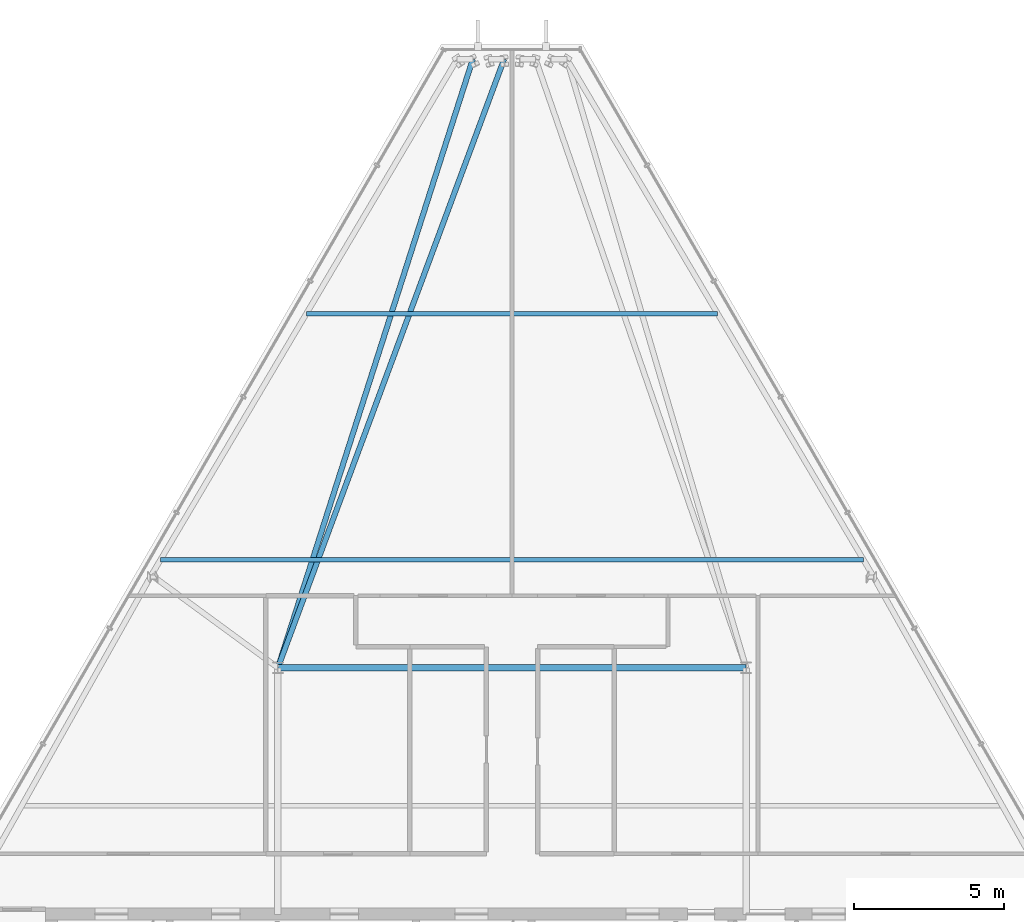
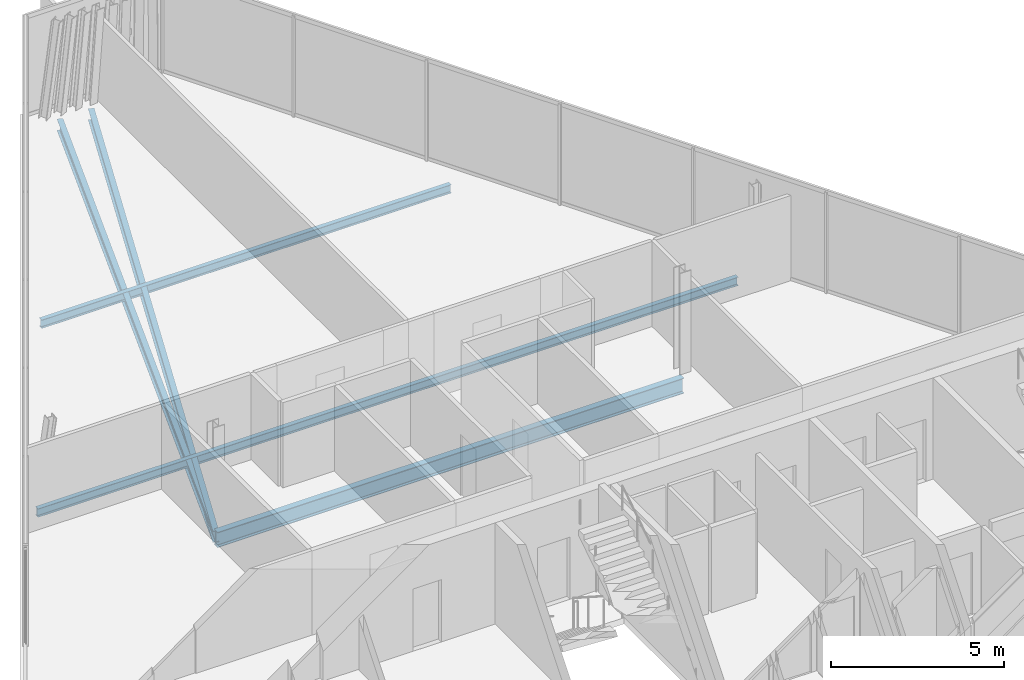
# One storey, part 16 of 32: 5 beams.
"""IFC4 building model written with IfcOpenShell, lengths in metres."""

import ifcopenshell
import ifcopenshell.guid

model = None  # the IFC model being written
_history = None  # IfcOwnerHistory: only IFC2X3 demands one
_inside = {}  # id of a spatial element -> (the spatial element, [elements in it])
_under = {}  # id of a project, library or spatial element -> (it, [spatial elements below it])
_declared = {}  # id of a project -> (the project, [libraries it declares])
_typed = {}  # id of a type object -> (the type object, [elements of that type])
_made_of = {}  # id of a material, layer set ... -> (it, [elements and type objects made of it])


def new_model(schema):
    """Start an empty IFC model of exactly this schema.

    Asked for "IFC4X3", IfcOpenShell would pick the latest addendum, in which some entities
    have other attributes; the version numbers below select the first issue.
    IFC2X3 requires an IfcOwnerHistory on every rooted entity: one is made here for all.
    """
    global model, _history
    if schema == "IFC4X3":
        model = ifcopenshell.file(schema_version=(4, 3, 0, 0))
    else:
        model = ifcopenshell.file(schema=schema)
    _inside.clear()
    _under.clear()
    _declared.clear()
    _typed.clear()
    _made_of.clear()
    _history = None
    if model.schema == "IFC2X3":
        org = make("IfcOrganization", Name="unknown")
        user = make(
            "IfcPersonAndOrganization",
            ThePerson=make("IfcPerson", FamilyName="unknown"),
            TheOrganization=org,
        )
        app = make(
            "IfcApplication",
            ApplicationDeveloper=org,
            Version="unknown",
            ApplicationFullName="unknown",
            ApplicationIdentifier="unknown",
        )
        _history = make(
            "IfcOwnerHistory",
            OwningUser=user,
            OwningApplication=app,
            ChangeAction="ADDED",
            CreationDate=0,
        )
    return model


def make(cls, **values):
    """One entity of the class cls with the attributes given. An attribute that is None is left unset."""
    return model.create_entity(
        cls, **{name: value for name, value in values.items() if value is not None}
    )


def rooted(cls, **values):
    """An entity with a GlobalId (a new one), such as an element, a storey or a relation."""
    return make(cls, GlobalId=ifcopenshell.guid.new(), OwnerHistory=_history, **values)


def si_unit(unit_type, name, prefix=None):
    """IfcSIUnit, for example si_unit("LENGTHUNIT", "METRE", prefix="MILLI")."""
    return make("IfcSIUnit", UnitType=unit_type, Prefix=prefix, Name=name)


def assignment(units):
    """IfcUnitAssignment: the units of a project."""
    return None if units is None else make("IfcUnitAssignment", Units=units)


def point(xyz):
    """IfcCartesianPoint."""
    return None if xyz is None else make("IfcCartesianPoint", Coordinates=xyz)


def direction(xyz):
    """IfcDirection."""
    return None if xyz is None else make("IfcDirection", DirectionRatios=xyz)


def frame(location, z_axis=None, x_axis=None):
    """IfcAxis2Placement3D, a coordinate frame: its origin and axes. An axis left out is left unset."""
    return make(
        "IfcAxis2Placement3D",
        Location=point(location),
        Axis=direction(z_axis),
        RefDirection=direction(x_axis),
    )


def frame_2d(location, x_axis=None):
    """IfcAxis2Placement2D, a coordinate frame in the plane: its origin and x axis."""
    return make(
        "IfcAxis2Placement2D", Location=point(location), RefDirection=direction(x_axis)
    )


def origin():
    """The frame at (0, 0, 0) with its axes left unset."""
    return frame((0.0, 0.0, 0.0))


def origin_2d():
    """The frame at (0, 0) in the plane with its x axis left unset."""
    return frame_2d((0.0, 0.0))


def place(relative_to, where):
    """IfcLocalPlacement: puts the frame where relative to a parent placement (None: the world)."""
    return make(
        "IfcLocalPlacement", PlacementRelTo=relative_to, RelativePlacement=where
    )


def context(
    kind, dimensions, precision=None, world=None, true_north=None, identifier=None
):
    """IfcGeometricRepresentationContext, for example the 3D "Model" context."""
    return make(
        "IfcGeometricRepresentationContext",
        ContextIdentifier=identifier,
        ContextType=kind,
        CoordinateSpaceDimension=dimensions,
        Precision=precision,
        WorldCoordinateSystem=world,
        TrueNorth=true_north,
    )


def subcontext(parent, identifier, kind, view, scale=None):
    """IfcGeometricRepresentationSubContext, for example "Body" below "Model"."""
    return make(
        "IfcGeometricRepresentationSubContext",
        ContextIdentifier=identifier,
        ContextType=kind,
        ParentContext=parent,
        TargetScale=scale,
        TargetView=view,
    )


def project(units=None, contexts=None):
    """IfcProject with its units and contexts."""
    return rooted(
        "IfcProject",
        Name="project",
        RepresentationContexts=contexts,
        UnitsInContext=assignment(units),
    )


def spatial(cls, under=None, at=None, **own):
    """A site, building, storey or space (cls), placed at a placement, below another one or the project."""
    s = rooted(cls, ObjectPlacement=at, **own)
    if under is not None:
        _under.setdefault(under.id(), (under, []))[1].append(s)
    return s


def profile(cls, at=None, kind="AREA", **sizes):
    """A parametric profile (cls). Its sizes go by their IFC names, for example OverallWidth=200.0."""
    return make(cls, ProfileType=kind, Position=at, **sizes)


def i_section(**sizes):
    """IfcIShapeProfileDef."""
    return profile("IfcIShapeProfileDef", **sizes)


def extrude(swept, where, along, depth):
    """IfcExtrudedAreaSolid: the profile swept, set in the frame where, extruded along a direction by depth."""
    return make(
        "IfcExtrudedAreaSolid",
        SweptArea=swept,
        Position=where,
        ExtrudedDirection=direction(along),
        Depth=depth,
    )


def shape(context_of_items, identifier, shape_type, items):
    """IfcShapeRepresentation: the items that make up one representation, for example the "Body"."""
    return make(
        "IfcShapeRepresentation",
        ContextOfItems=context_of_items,
        RepresentationIdentifier=identifier,
        RepresentationType=shape_type,
        Items=items,
    )


def material(Name=None, Category=None):
    """IfcMaterial."""
    return make("IfcMaterial", Name=Name, Category=Category)


def material_profile(
    of_material, cross_section, Name=None, Category=None, Priority=None
):
    """IfcMaterialProfile: a cross section and its material."""
    return make(
        "IfcMaterialProfile",
        Name=Name,
        Material=of_material,
        Profile=cross_section,
        Priority=Priority,
        Category=Category,
    )


def profile_set(profiles, Name=None, composite=None):
    """IfcMaterialProfileSet."""
    return make(
        "IfcMaterialProfileSet",
        Name=Name,
        MaterialProfiles=profiles,
        CompositeProfile=composite,
    )


def made_of(thing, what):
    """Note that an element or type object is made of a material, layer set ...; save() writes the relation."""
    if what is not None:
        _made_of.setdefault(what.id(), (what, []))[1].append(thing)
    return thing


def type_object(cls, material=None, **own):
    """A type object (cls), such as IfcWallType, which elements share."""
    return made_of(rooted(cls, **own), material)


def element(
    cls,
    number,
    at=None,
    inside=None,
    cuts=None,
    type_object=None,
    material=None,
    context=None,
    identifier="Body",
    shape_type=None,
    held_by="IfcProductDefinitionShape",
    body=None,
    shapes=None,
    **own,
):
    """One element of the class cls, such as IfcWall. Its Tag is "e" and its number.

    at: its placement. inside: the storey or other place that contains it. cuts: it is an
    opening in that element (IfcRelVoidsElement). A single representation is given by context,
    identifier, shape_type and body (its items); several are given by shapes. held_by: the class
    of the entity that holds the representations. save() writes the other relations.
    """
    e = rooted(cls, Tag="e%d" % number, ObjectPlacement=at, **own)
    if body is not None:
        shapes = [shape(context, identifier, shape_type, body)]
    if shapes is not None:
        e.Representation = make(held_by, Representations=shapes)
    if inside is not None:
        _inside.setdefault(inside.id(), (inside, []))[1].append(e)
    if cuts is not None:
        rooted(
            "IfcRelVoidsElement", RelatingBuildingElement=cuts, RelatedOpeningElement=e
        )
    if type_object is not None:
        _typed.setdefault(type_object.id(), (type_object, []))[1].append(e)
    return made_of(e, material)


def aggregate(whole, parts):
    """IfcRelAggregates: a whole, such as a stair, and the parts it consists of."""
    return rooted("IfcRelAggregates", RelatingObject=whole, RelatedObjects=parts)


def save(model, path):
    """Write the relations noted so far, then the file.

    IfcRelAggregates (storeys below a building ...), IfcRelContainedInSpatialStructure (elements
    in a storey), IfcRelDefinesByType, IfcRelAssociatesMaterial and IfcRelDeclares: one each for
    every whole, place, type object, material and project.
    """
    for whole, parts in _under.values():
        aggregate(whole, parts)
    for where, things in _inside.values():
        rooted(
            "IfcRelContainedInSpatialStructure",
            RelatedElements=things,
            RelatingStructure=where,
        )
    for kind, things in _typed.values():
        rooted("IfcRelDefinesByType", RelatedObjects=things, RelatingType=kind)
    for what, things in _made_of.values():
        rooted("IfcRelAssociatesMaterial", RelatedObjects=things, RelatingMaterial=what)
    for by, libraries in _declared.values():
        rooted("IfcRelDeclares", RelatingContext=by, RelatedDefinitions=libraries)
    model.write(path)


model = new_model("IFC4")

# Units and contexts
model_context = context("Model", 3, precision=1e-05, world=origin(), true_north=direction((0.0, 1.0)))
body_context = subcontext(model_context, "Body", "Model", "MODEL_VIEW")
ifc_project = project(units=[si_unit("LENGTHUNIT", "METRE"), si_unit("AREAUNIT", "SQUARE_METRE"), si_unit("VOLUMEUNIT", "CUBIC_METRE"), si_unit("PLANEANGLEUNIT", "RADIAN"), si_unit("MASSUNIT", "GRAM", prefix="KILO")], contexts=[model_context])

# Site, building, storey
site_placement = place(None, origin())
site = spatial("IfcSite", under=ifc_project, at=site_placement, CompositionType="ELEMENT")
building_placement = place(site_placement, origin())
building = spatial("IfcBuilding", under=site, at=building_placement, Name="Ndaravel Arena Tower", CompositionType="ELEMENT")
storey_placement = place(building_placement, frame((0.0, 0.0, 290.89990234375)))
storey = spatial("IfcBuildingStorey", under=building, at=storey_placement, Name="L71", CompositionType="ELEMENT", Elevation=290.89990234375)

# Beams
ifc_material_1 = material(Name="Steel S355", Category="steel")
ifc_material_profile_1 = material_profile(ifc_material_1, i_section(OverallWidth=0.1787109375, OverallDepth=0.409423828125, WebThickness=0.0087890625, FlangeThickness=0.014404296875, FilletRadius=0.01025390625, at=origin_2d()), Name="UB 406x178x67")
ifc_profile_set_1 = profile_set([ifc_material_profile_1], Name="Steel S355")
beam_type_1 = type_object("IfcBeamType", Name="BM-GIRD-UB406", PredefinedType="BEAM", material=ifc_profile_set_1)
beam_1_placement = place(storey_placement, frame((41.739013671875, 43.477783203125, -0.424560546875), z_axis=(-0.348482886896, -0.93731514313, 0.0), x_axis=(0.93731514313, -0.348482886896, 0.0)))
element("IfcBeam", 1, at=beam_1_placement, inside=storey, type_object=beam_type_1, Name="L71 Radial Floor Girder FG-15", PredefinedType="BEAM", context=body_context, shape_type="SweptSolid", body=[
    extrude(i_section(OverallWidth=0.1787109375, OverallDepth=0.409423828125, WebThickness=0.0087890625, FlangeThickness=0.014404296875, FilletRadius=0.01025390625, at=origin_2d()), origin(), (0.0, 0.0, 1.0), 21.634033203125),
])
beam_2_placement = place(storey_placement, frame((40.6953125, 43.477783203125, -0.424560546875), z_axis=(-0.305050713345, -0.952336107836, 0.0), x_axis=(0.952336107836, -0.305050713345, 0.0)))
element("IfcBeam", 2, at=beam_2_placement, inside=storey, type_object=beam_type_1, Name="L71 Radial Floor Girder FG-17", PredefinedType="BEAM", context=body_context, shape_type="SweptSolid", body=[
    extrude(i_section(OverallWidth=0.1787109375, OverallDepth=0.409423828125, WebThickness=0.0087890625, FlangeThickness=0.014404296875, FilletRadius=0.01025390625, at=origin_2d()), origin(), (0.0, 0.0, 1.0), 21.292724609375),
])
ifc_material_2 = material(Name="Steel S355", Category="steel")
ifc_material_profile_2 = material_profile(ifc_material_2, i_section(OverallWidth=0.210693359375, OverallDepth=0.53955078125, WebThickness=0.01171875, FlangeThickness=0.018798828125, FilletRadius=0.0126953125, at=origin_2d()), Name="UB 533x210x109")
ifc_profile_set_2 = profile_set([ifc_material_profile_2], Name="Steel S355")
beam_type_2 = type_object("IfcBeamType", Name="BM-GIRD-UB533", PredefinedType="BEAM", material=ifc_profile_set_2)
beam_3_placement = place(storey_placement, frame((34.199951171875, 23.199951171875, -0.489501953125), z_axis=(1.0, 0.0, 0.0), x_axis=(0.0, 1.0, 0.0)))
element("IfcBeam", 3, at=beam_3_placement, inside=storey, type_object=beam_type_2, Name="L71 Spine Link Girder SLG-03", PredefinedType="BEAM", context=body_context, shape_type="SweptSolid", body=[
    extrude(i_section(OverallWidth=0.210693359375, OverallDepth=0.53955078125, WebThickness=0.01171875, FlangeThickness=0.018798828125, FilletRadius=0.0126953125, at=origin_2d()), origin(), (0.0, 0.0, 1.0), 15.60009765625),
])
ifc_material_3 = material(Name="Steel S355", Category="steel")
ifc_material_profile_3 = material_profile(ifc_material_3, i_section(OverallWidth=0.14990234375, OverallDepth=0.300048828125, WebThickness=0.007080078125, FlangeThickness=0.0107421875, FilletRadius=0.014892578125, at=origin_2d()), Name="IPE 300")
ifc_profile_set_3 = profile_set([ifc_material_profile_3], Name="Steel S355")
beam_type_3 = type_object("IfcBeamType", Name="BM-JOIST-IPE300", PredefinedType="JOIST", material=ifc_profile_set_3)
beam_4_placement = place(storey_placement, frame((30.291259765625, 26.800048828125, -0.369873046875), z_axis=(1.0, 0.0, 0.0), x_axis=(0.0, 1.0, 0.0)))
element("IfcBeam", 4, at=beam_4_placement, inside=storey, type_object=beam_type_3, Name="L71 Composite Floor Joist FJ-02", PredefinedType="JOIST", context=body_context, shape_type="SweptSolid", body=[
    extrude(i_section(OverallWidth=0.14990234375, OverallDepth=0.300048828125, WebThickness=0.007080078125, FlangeThickness=0.0107421875, FilletRadius=0.014892578125, at=origin_2d()), origin(), (0.0, 0.0, 1.0), 23.41748046875),
])
beam_5_placement = place(storey_placement, frame((35.14990234375, 35.0, -0.369873046875), z_axis=(1.0, 0.0, 0.0), x_axis=(0.0, 1.0, 0.0)))
element("IfcBeam", 5, at=beam_5_placement, inside=storey, type_object=beam_type_3, Name="L71 Composite Floor Joist FJ-03", PredefinedType="JOIST", context=body_context, shape_type="SweptSolid", body=[
    extrude(i_section(OverallWidth=0.14990234375, OverallDepth=0.300048828125, WebThickness=0.007080078125, FlangeThickness=0.0107421875, FilletRadius=0.014892578125, at=origin_2d()), origin(), (0.0, 0.0, 1.0), 13.7001953125),
])

save(model, "model.ifc")
